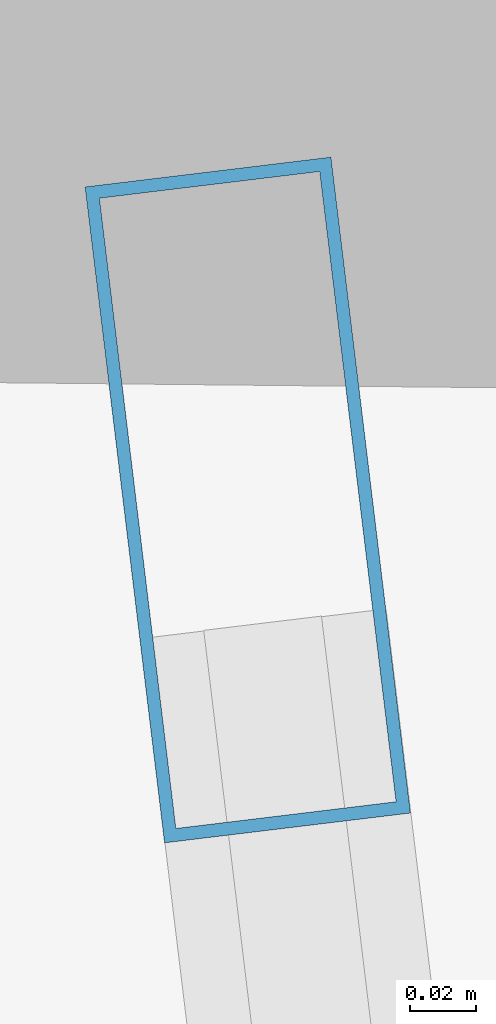
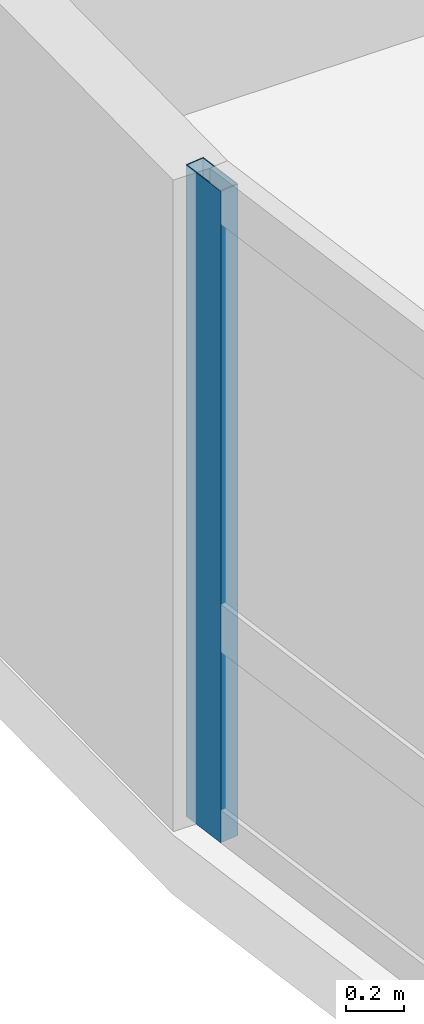
# One storey, part 8 of 23: 1 member, 1 element without a shape of its own.
"""IFC4 building model written with IfcOpenShell, lengths in metres."""

from ifc_helpers import new_model, si_unit, direction, frame, origin, origin_2d, place, context, subcontext, project, spatial, hollow_rectangle, extrude, material, layer, layer_set, material_profile, profile_set, type_object, element, aggregate, save


model = new_model("IFC4")

# Units and contexts
model_context = context("Model", 3, precision=1e-05, world=origin(), true_north=direction((0.0, 1.0)))
body_context = subcontext(model_context, "Body", "Model", "MODEL_VIEW")
ifc_project = project(units=[si_unit("LENGTHUNIT", "METRE"), si_unit("AREAUNIT", "SQUARE_METRE"), si_unit("VOLUMEUNIT", "CUBIC_METRE"), si_unit("PLANEANGLEUNIT", "RADIAN"), si_unit("MASSUNIT", "GRAM", prefix="KILO")], contexts=[model_context])

# Site, building, storey
site_placement = place(None, origin())
site = spatial("IfcSite", under=ifc_project, at=site_placement, CompositionType="ELEMENT")
building_placement = place(site_placement, origin())
building = spatial("IfcBuilding", under=site, at=building_placement, Name="Varnelok Gate Tower", CompositionType="ELEMENT")
storey_placement = place(building_placement, frame((0.0, 0.0, 182.0)))
storey = spatial("IfcBuildingStorey", under=building, at=storey_placement, Name="L46", CompositionType="ELEMENT", Elevation=182.0)

# Curtain wall, member
ifc_material = material(Name="Anodized Aluminum Alloy 6063-T6", Category="aluminium")
ifc_layer = layer(ifc_material, 0.179931640625)
ifc_layer_set = layer_set([ifc_layer], Name="Anodized Aluminum Alloy 6063-T6")
curtain_wall_type = type_object("IfcCurtainWallType", Name="CW4-RESIDENCE-VISION", PredefinedType="USERDEFINED", material=ifc_layer_set)
curtain_wall_placement = place(storey_placement, origin())
curtain_wall = element("IfcCurtainWall", 1, at=curtain_wall_placement, inside=storey, type_object=curtain_wall_type, Name="L46 West End Vision Curtain Wall", ObjectType="UNITISED CURTAIN WALL", PredefinedType="USERDEFINED")
ifc_material_profile = material_profile(ifc_material, hollow_rectangle(XDim=0.074951171875, YDim=0.199951171875, WallThickness=0.00390625, at=origin_2d()), Name="ALU200X75X4")
ifc_profile_set = profile_set([ifc_material_profile], Name="Anodized Aluminum Alloy 6063-T6")
member_type = type_object("IfcMemberType", Name="CW-MULL-200", PredefinedType="MULLION", material=ifc_profile_set)
member_placement = place(storey_placement, frame((2.290283203125, 37.610107421875, 0.0), z_axis=(0.0, 0.0, 1.0), x_axis=(-0.992732188751, -0.120344511371, 0.0)))
member = element("IfcMember", 2, at=member_placement, type_object=member_type, Name="CW4 mullion 6", PredefinedType="MULLION", context=body_context, shape_type="SweptSolid", body=[
    extrude(hollow_rectangle(XDim=0.074951171875, YDim=0.199951171875, WallThickness=0.00390625, at=origin_2d()), origin(), (0.0, 0.0, 1.0), 2.72998046875),
])
aggregate(curtain_wall, [member])

save(model, "model.ifc")
